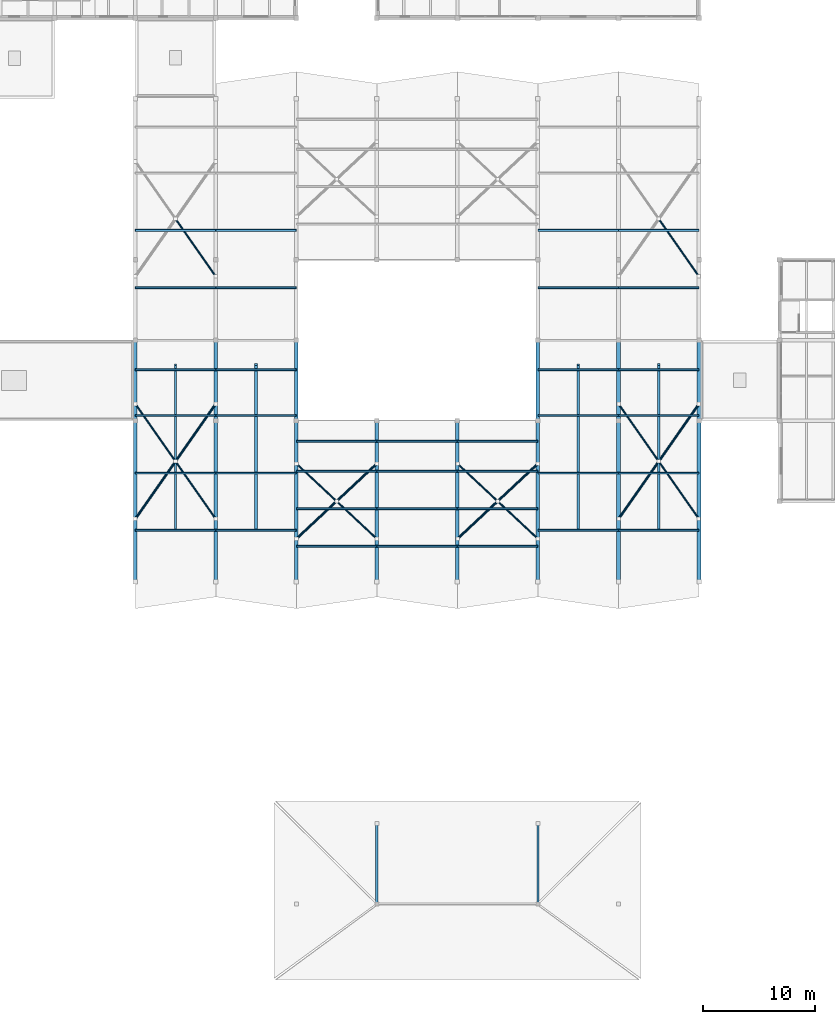
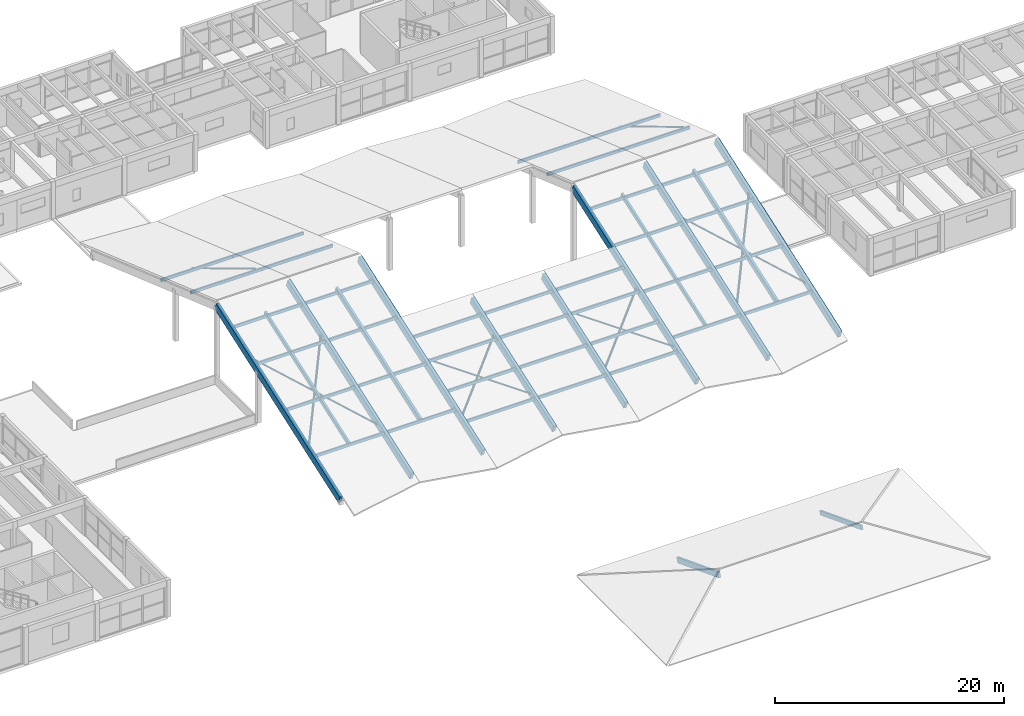
# One storey, part 17 of 68: 56 members, 8 beams.
"""IFC4 building model written with IfcOpenShell, lengths in metres."""

from ifc_helpers import new_model, si_unit, direction, frame, origin, origin_2d, place, context, subcontext, project, spatial, rectangle, hollow_circle, extrude, material, material_profile, profile_set, type_object, element, save


model = new_model("IFC4")

# Units and contexts
model_context = context("Model", 3, precision=1e-05, world=origin(), true_north=direction((0.0, 1.0)))
body_context = subcontext(model_context, "Body", "Model", "MODEL_VIEW")
ifc_project = project(units=[si_unit("LENGTHUNIT", "METRE"), si_unit("AREAUNIT", "SQUARE_METRE"), si_unit("VOLUMEUNIT", "CUBIC_METRE"), si_unit("PLANEANGLEUNIT", "RADIAN"), si_unit("MASSUNIT", "GRAM", prefix="KILO")], contexts=[model_context])

# Site, building, storey
site_placement = place(None, origin())
site = spatial("IfcSite", under=ifc_project, at=site_placement, CompositionType="ELEMENT")
building_placement = place(site_placement, origin())
building = spatial("IfcBuilding", under=site, at=building_placement, Name="Bramvelor Terrace Health Centre", CompositionType="ELEMENT")
storey_placement = place(building_placement, frame((0.0, 0.0, 9.300048828125)))
storey = spatial("IfcBuildingStorey", under=building, at=storey_placement, Name="L03", CompositionType="ELEMENT", Elevation=9.300048828125)

# Beams
ifc_material_1 = material(Name="Glulam GL28h", Category="wood")
ifc_material_profile_1 = material_profile(ifc_material_1, rectangle(XDim=0.320068359375, YDim=0.800048828125, at=origin_2d()), Name="GL 320x800")
ifc_profile_set_1 = profile_set([ifc_material_profile_1], Name="Glulam GL28h")
beam_type = type_object("IfcBeamType", Name="BM-GL-RCH800", PredefinedType="BEAM", material=ifc_profile_set_1)
for number, where, z_axis, x_axis, name in (
    (1, (43.199951171875, 36.0, 0.49169921875), (0.0, 0.943858023727, 0.330351375124), (-1.0, 0.0, 0.0), "Folded-Plate South Principal Glulam Chord 1"),
    (2, (50.39990234375, 36.0, 0.49169921875), (0.0, 0.943858023727, 0.330351375124), (-1.0, 0.0, 0.0), "Folded-Plate South Principal Glulam Chord 2"),
    (3, (57.60009765625, 36.0, 0.49169921875), (0.0, 0.943858023727, 0.330351375124), (-1.0, 0.0, 0.0), "Folded-Plate South Principal Glulam Chord 3"),
):
    element("IfcBeam", number, at=place(storey_placement, frame(where, z_axis=z_axis, x_axis=x_axis)), inside=storey, type_object=beam_type, Name=name, PredefinedType="BEAM", context=body_context, shape_type="SweptSolid", body=[
        extrude(rectangle(XDim=0.320068359375, YDim=0.800048828125, at=origin_2d()), origin(), (0.0, 0.0, 1.0), 22.885009765625),
    ])
for number, where, z_axis, x_axis, name in (
    (4, (64.800048828125, 36.0, 0.49169921875), (0.0, 0.943856859467, 0.33035470155), (-1.0, 0.0, 0.0), "Folded-Plate South Principal Glulam Chord 4"),
    (5, (72.0, 36.0, 0.49169921875), (0.0, 0.943856859467, 0.33035470155), (-1.0, 0.0, 0.0), "Folded-Plate South Principal Glulam Chord 5"),
):
    element("IfcBeam", number, at=place(storey_placement, frame(where, z_axis=z_axis, x_axis=x_axis)), inside=storey, type_object=beam_type, Name=name, PredefinedType="BEAM", context=body_context, shape_type="SweptSolid", body=[
        extrude(rectangle(XDim=0.320068359375, YDim=0.800048828125, at=origin_2d()), origin(), (0.0, 0.0, 1.0), 15.25634765625),
    ])
for number, where, z_axis, x_axis, name in (
    (6, (79.199951171875, 36.0, 0.49169921875), (0.0, 0.943858023727, 0.330351375124), (-1.0, 0.0, 0.0), "Folded-Plate South Principal Glulam Chord 6"),
    (7, (86.39990234375, 36.0, 0.49169921875), (0.0, 0.943858023727, 0.330351375124), (-1.0, 0.0, 0.0), "Folded-Plate South Principal Glulam Chord 7"),
    (8, (93.60009765625, 36.0, 0.49169921875), (0.0, 0.943858023727, 0.330351375124), (-1.0, 0.0, 0.0), "Folded-Plate South Principal Glulam Chord 8"),
):
    element("IfcBeam", number, at=place(storey_placement, frame(where, z_axis=z_axis, x_axis=x_axis)), inside=storey, type_object=beam_type, Name=name, PredefinedType="BEAM", context=body_context, shape_type="SweptSolid", body=[
        extrude(rectangle(XDim=0.320068359375, YDim=0.800048828125, at=origin_2d()), origin(), (0.0, 0.0, 1.0), 22.885009765625),
    ])

# Members
ifc_material_2 = material(Name="Glulam GL28h", Category="wood")
ifc_material_profile_2 = material_profile(ifc_material_2, rectangle(XDim=0.159912109375, YDim=0.320068359375, at=origin_2d()), Name="GL 160x320")
ifc_profile_set_2 = profile_set([ifc_material_profile_2], Name="Glulam GL28h")
member_type_1 = type_object("IfcMemberType", Name="MEM-GL-PUR320", PredefinedType="PURLIN", material=ifc_profile_set_2)
for number, where, z_axis, x_axis, name in (
    (9, (43.219970703125, 40.60400390625, 2.329345703125), (1.0, 0.0, 0.0), (0.0, 1.0, 0.0), "Folded-Plate Roof Purlin S1-1"),
    (10, (43.219970703125, 45.73388671875, 4.124755859375), (1.0, 0.0, 0.0), (0.0, 1.0, 0.0), "Folded-Plate Roof Purlin S1-2"),
    (11, (43.219970703125, 50.864013671875, 5.92041015625), (1.0, 0.0, 0.0), (0.0, 1.0, 0.0), "Folded-Plate Roof Purlin S1-3"),
    (12, (43.219970703125, 54.968017578125, 7.356689453125), (1.0, 0.0, 0.0), (0.0, 1.0, 0.0), "Folded-Plate Roof Purlin S1-4"),
    (13, (43.219970703125, 62.283935546875, 6.638671875), (1.0, 0.0, 0.0), (0.0, 1.0, 0.0), "Folded-Plate Roof Purlin N1-1"),
    (14, (43.219970703125, 67.4140625, 4.843017578125), (1.0, 0.0, 0.0), (0.0, 1.0, 0.0), "Folded-Plate Roof Purlin N1-2"),
):
    element("IfcMember", number, at=place(storey_placement, frame(where, z_axis=z_axis, x_axis=x_axis)), inside=storey, type_object=member_type_1, Name=name, PredefinedType="PURLIN", context=body_context, shape_type="SweptSolid", body=[
        extrude(rectangle(XDim=0.159912109375, YDim=0.320068359375, at=origin_2d()), origin(), (0.0, 0.0, 1.0), 7.159912109375),
    ])
for number, where, z_axis, x_axis, name in (
    (15, (50.419921875, 40.60400390625, 2.329345703125), (1.0, 0.0, 0.0), (0.0, 1.0, 0.0), "Folded-Plate Roof Purlin S2-1"),
    (16, (50.419921875, 45.73388671875, 4.124755859375), (1.0, 0.0, 0.0), (0.0, 1.0, 0.0), "Folded-Plate Roof Purlin S2-2"),
    (17, (50.419921875, 50.864013671875, 5.92041015625), (1.0, 0.0, 0.0), (0.0, 1.0, 0.0), "Folded-Plate Roof Purlin S2-3"),
    (18, (50.419921875, 54.968017578125, 7.356689453125), (1.0, 0.0, 0.0), (0.0, 1.0, 0.0), "Folded-Plate Roof Purlin S2-4"),
    (19, (50.419921875, 62.283935546875, 6.638671875), (1.0, 0.0, 0.0), (0.0, 1.0, 0.0), "Folded-Plate Roof Purlin N2-1"),
    (20, (50.419921875, 67.4140625, 4.843017578125), (1.0, 0.0, 0.0), (0.0, 1.0, 0.0), "Folded-Plate Roof Purlin N2-2"),
):
    element("IfcMember", number, at=place(storey_placement, frame(where, z_axis=z_axis, x_axis=x_axis)), inside=storey, type_object=member_type_1, Name=name, PredefinedType="PURLIN", context=body_context, shape_type="SweptSolid", body=[
        extrude(rectangle(XDim=0.159912109375, YDim=0.320068359375, at=origin_2d()), origin(), (0.0, 0.0, 1.0), 7.16015625),
    ])
for number, where, z_axis, x_axis, name in (
    (21, (57.6201171875, 39.179931640625, 1.8310546875), (1.0, 0.0, 0.0), (0.0, 1.0, 0.0), "Folded-Plate Roof Purlin S3-1"),
    (22, (57.6201171875, 42.530029296875, 3.00341796875), (1.0, 0.0, 0.0), (0.0, 1.0, 0.0), "Folded-Plate Roof Purlin S3-2"),
    (23, (57.6201171875, 45.8798828125, 4.176025390625), (1.0, 0.0, 0.0), (0.0, 1.0, 0.0), "Folded-Plate Roof Purlin S3-3"),
    (24, (57.6201171875, 48.56005859375, 5.114013671875), (1.0, 0.0, 0.0), (0.0, 1.0, 0.0), "Folded-Plate Roof Purlin S3-4"),
    (25, (64.820068359375, 39.179931640625, 1.8310546875), (1.0, 0.0, 0.0), (0.0, 1.0, 0.0), "Folded-Plate Roof Purlin S4-1"),
    (26, (64.820068359375, 42.530029296875, 3.00341796875), (1.0, 0.0, 0.0), (0.0, 1.0, 0.0), "Folded-Plate Roof Purlin S4-2"),
    (27, (64.820068359375, 45.8798828125, 4.176025390625), (1.0, 0.0, 0.0), (0.0, 1.0, 0.0), "Folded-Plate Roof Purlin S4-3"),
    (28, (64.820068359375, 48.56005859375, 5.114013671875), (1.0, 0.0, 0.0), (0.0, 1.0, 0.0), "Folded-Plate Roof Purlin S4-4"),
    (29, (72.02001953125, 39.179931640625, 1.8310546875), (1.0, 0.0, 0.0), (0.0, 1.0, 0.0), "Folded-Plate Roof Purlin S5-1"),
    (30, (72.02001953125, 42.530029296875, 3.00341796875), (1.0, 0.0, 0.0), (0.0, 1.0, 0.0), "Folded-Plate Roof Purlin S5-2"),
    (31, (72.02001953125, 45.8798828125, 4.176025390625), (1.0, 0.0, 0.0), (0.0, 1.0, 0.0), "Folded-Plate Roof Purlin S5-3"),
    (32, (72.02001953125, 48.56005859375, 5.114013671875), (1.0, 0.0, 0.0), (0.0, 1.0, 0.0), "Folded-Plate Roof Purlin S5-4"),
    (33, (79.219970703125, 40.60400390625, 2.329345703125), (1.0, 0.0, 0.0), (0.0, 1.0, 0.0), "Folded-Plate Roof Purlin S6-1"),
    (34, (79.219970703125, 45.73388671875, 4.124755859375), (1.0, 0.0, 0.0), (0.0, 1.0, 0.0), "Folded-Plate Roof Purlin S6-2"),
    (35, (79.219970703125, 50.864013671875, 5.92041015625), (1.0, 0.0, 0.0), (0.0, 1.0, 0.0), "Folded-Plate Roof Purlin S6-3"),
    (36, (79.219970703125, 54.968017578125, 7.356689453125), (1.0, 0.0, 0.0), (0.0, 1.0, 0.0), "Folded-Plate Roof Purlin S6-4"),
    (37, (79.219970703125, 62.283935546875, 6.638671875), (1.0, 0.0, 0.0), (0.0, 1.0, 0.0), "Folded-Plate Roof Purlin N6-1"),
    (38, (79.219970703125, 67.4140625, 4.843017578125), (1.0, 0.0, 0.0), (0.0, 1.0, 0.0), "Folded-Plate Roof Purlin N6-2"),
):
    element("IfcMember", number, at=place(storey_placement, frame(where, z_axis=z_axis, x_axis=x_axis)), inside=storey, type_object=member_type_1, Name=name, PredefinedType="PURLIN", context=body_context, shape_type="SweptSolid", body=[
        extrude(rectangle(XDim=0.159912109375, YDim=0.320068359375, at=origin_2d()), origin(), (0.0, 0.0, 1.0), 7.159912109375),
    ])
for number, where, z_axis, x_axis, name in (
    (39, (86.419921875, 40.60400390625, 2.329345703125), (1.0, 0.0, 0.0), (0.0, 1.0, 0.0), "Folded-Plate Roof Purlin S7-1"),
    (40, (86.419921875, 45.73388671875, 4.124755859375), (1.0, 0.0, 0.0), (0.0, 1.0, 0.0), "Folded-Plate Roof Purlin S7-2"),
    (41, (86.419921875, 50.864013671875, 5.92041015625), (1.0, 0.0, 0.0), (0.0, 1.0, 0.0), "Folded-Plate Roof Purlin S7-3"),
    (42, (86.419921875, 54.968017578125, 7.356689453125), (1.0, 0.0, 0.0), (0.0, 1.0, 0.0), "Folded-Plate Roof Purlin S7-4"),
    (43, (86.419921875, 62.283935546875, 6.638671875), (1.0, 0.0, 0.0), (0.0, 1.0, 0.0), "Folded-Plate Roof Purlin N7-1"),
    (44, (86.419921875, 67.4140625, 4.843017578125), (1.0, 0.0, 0.0), (0.0, 1.0, 0.0), "Folded-Plate Roof Purlin N7-2"),
):
    element("IfcMember", number, at=place(storey_placement, frame(where, z_axis=z_axis, x_axis=x_axis)), inside=storey, type_object=member_type_1, Name=name, PredefinedType="PURLIN", context=body_context, shape_type="SweptSolid", body=[
        extrude(rectangle(XDim=0.159912109375, YDim=0.320068359375, at=origin_2d()), origin(), (0.0, 0.0, 1.0), 7.16015625),
    ])
ifc_material_3 = material(Name="Glulam GL28h", Category="wood")
ifc_material_profile_3 = material_profile(ifc_material_3, rectangle(XDim=0.199951171875, YDim=0.43994140625, at=origin_2d()), Name="GL 200x440")
ifc_profile_set_3 = profile_set([ifc_material_profile_3], Name="Glulam GL28h")
member_type_2 = type_object("IfcMemberType", Name="MEM-GL-RAF440", PredefinedType="RAFTER", material=ifc_profile_set_3)
member_1_placement = place(storey_placement, frame((79.199951171875, 14.39990234375, -0.39013671875), z_axis=(0.0, -0.93331052871, 0.359070267496), x_axis=(1.0, 0.0, 0.0)))
element("IfcMember", 45, at=member_1_placement, inside=storey, type_object=member_type_2, Name="Prairie Hip Roof Glulam Rafter N2", PredefinedType="RAFTER", context=body_context, shape_type="SweptSolid", body=[
    extrude(rectangle(XDim=0.199951171875, YDim=0.43994140625, at=origin_2d()), origin(), (0.0, 0.0, 1.0), 7.71435546875),
])
for number, where, z_axis, x_axis, name in (
    (46, (46.800048828125, 40.7041015625, 2.284423828125), (0.0, 0.943857379729, 0.330353215106), (-1.0, 0.0, 0.0), "Waiting Hall Secondary Glulam Rafter 3"),
    (47, (82.800048828125, 40.7041015625, 2.284423828125), (0.0, 0.943857379729, 0.330353215106), (-1.0, 0.0, 0.0), "Waiting Hall Secondary Glulam Rafter 5"),
):
    element("IfcMember", number, at=place(storey_placement, frame(where, z_axis=z_axis, x_axis=x_axis)), inside=storey, type_object=member_type_2, Name=name, PredefinedType="RAFTER", context=body_context, shape_type="SweptSolid", body=[
        extrude(rectangle(XDim=0.199951171875, YDim=0.43994140625, at=origin_2d()), origin(), (0.0, 0.0, 1.0), 15.589111328125),
    ])
ifc_material_4 = material(Name="Glulam GL28h", Category="wood")
ifc_material_profile_4 = material_profile(ifc_material_4, rectangle(XDim=0.239990234375, YDim=0.56005859375, at=origin_2d()), Name="GL 240x560")
ifc_profile_set_4 = profile_set([ifc_material_profile_4], Name="Glulam GL28h")
member_type_3 = type_object("IfcMemberType", Name="MEM-GL-RAF560", PredefinedType="RAFTER", material=ifc_profile_set_4)
member_2_placement = place(storey_placement, frame((64.800048828125, 14.39990234375, -0.39013671875), z_axis=(0.0, -0.93331052871, 0.359070267496), x_axis=(1.0, 0.0, 0.0)))
element("IfcMember", 48, at=member_2_placement, inside=storey, type_object=member_type_3, Name="Prairie Hip Roof Glulam Rafter N1", PredefinedType="RAFTER", context=body_context, shape_type="SweptSolid", body=[
    extrude(rectangle(XDim=0.239990234375, YDim=0.56005859375, at=origin_2d()), origin(), (0.0, 0.0, 1.0), 7.71435546875),
])
for number, where, z_axis, x_axis, name in (
    (49, (54.0, 40.7041015625, 2.284423828125), (0.0, 0.943857379729, 0.330353215106), (-1.0, 0.0, 0.0), "Waiting Hall Secondary Glulam Rafter 4"),
    (50, (90.0, 40.7041015625, 2.284423828125), (0.0, 0.943857379729, 0.330353215106), (-1.0, 0.0, 0.0), "Waiting Hall Secondary Glulam Rafter 6"),
):
    element("IfcMember", number, at=place(storey_placement, frame(where, z_axis=z_axis, x_axis=x_axis)), inside=storey, type_object=member_type_3, Name=name, PredefinedType="RAFTER", context=body_context, shape_type="SweptSolid", body=[
        extrude(rectangle(XDim=0.239990234375, YDim=0.56005859375, at=origin_2d()), origin(), (0.0, 0.0, 1.0), 15.589111328125),
    ])
ifc_material_5 = material(Name="Steel S355J2", Category="steel")
ifc_material_profile_5 = material_profile(ifc_material_5, hollow_circle(Radius=0.084228515625, WallThickness=0.00634765625, at=origin_2d()), Name="CHS 168.3x6.3")
ifc_profile_set_5 = profile_set([ifc_material_profile_5], Name="Steel S355J2")
member_type_4 = type_object("IfcMemberType", Name="MEM-STL-CHS168", PredefinedType="BRACE", material=ifc_profile_set_5)
for number, where, z_axis, x_axis, name in (
    (51, (50.385009765625, 41.6298828125, 2.462158203125), (-0.550605019808, 0.787909103562, 0.275741467112), (-0.819686857762, -0.572811884663, 0.0), "Folded-Plate Split Wind Brace S1-2A"),
    (52, (46.73681640625, 46.8505859375, 4.289306640625), (-0.550615783395, 0.787886335186, 0.275785028425), (-0.819673827852, -0.572830529856, 0.0), "Folded-Plate Split Wind Brace S1-2B"),
    (53, (50.385009765625, 63.31005859375, 6.05322265625), (-0.550615783395, 0.787886335186, -0.275785028425), (-0.819673827852, -0.572830529856, 0.0), "Folded-Plate Split Wind Brace N1-2A"),
):
    element("IfcMember", number, at=place(storey_placement, frame(where, z_axis=z_axis, x_axis=x_axis)), inside=storey, type_object=member_type_4, Name=name, PredefinedType="BRACE", context=body_context, shape_type="SweptSolid", body=[
        extrude(hollow_circle(Radius=0.084228515625, WallThickness=0.00634765625, at=origin_2d()), origin(), (0.0, 0.0, 1.0), 6.39599609375),
    ])
member_3_placement = place(storey_placement, frame((64.784912109375, 39.85009765625, 1.839111328125), z_axis=(-0.710649192777, 0.664045186198, 0.232425720378), x_axis=(-0.682742674774, -0.730658908139, 0.0)))
element("IfcMember", 54, at=member_3_placement, inside=storey, type_object=member_type_4, Name="Folded-Plate Split Wind Brace S3-2A", PredefinedType="BRACE", context=body_context, shape_type="SweptSolid", body=[
    extrude(hollow_circle(Radius=0.084228515625, WallThickness=0.00634765625, at=origin_2d()), origin(), (0.0, 0.0, 1.0), 4.929443359375),
])
member_4_placement = place(storey_placement, frame((61.118408203125, 43.2763671875, 3.038330078125), z_axis=(-0.710650335394, 0.664049501554, 0.232409897143), x_axis=(-0.682744457393, -0.730657242419, 0.0)))
element("IfcMember", 55, at=member_4_placement, inside=storey, type_object=member_type_4, Name="Folded-Plate Split Wind Brace S3-2B", PredefinedType="BRACE", context=body_context, shape_type="SweptSolid", body=[
    extrude(hollow_circle(Radius=0.084228515625, WallThickness=0.00634765625, at=origin_2d()), origin(), (0.0, 0.0, 1.0), 4.929931640625),
])
member_5_placement = place(storey_placement, frame((79.18505859375, 39.85009765625, 1.839111328125), z_axis=(-0.710673705771, 0.66402181512, 0.232417540152), x_axis=(-0.682717273489, -0.730682642793, 0.0)))
element("IfcMember", 56, at=member_5_placement, inside=storey, type_object=member_type_4, Name="Folded-Plate Split Wind Brace S5-2A", PredefinedType="BRACE", context=body_context, shape_type="SweptSolid", body=[
    extrude(hollow_circle(Radius=0.084228515625, WallThickness=0.00634765625, at=origin_2d()), origin(), (0.0, 0.0, 1.0), 4.9296875),
])
member_6_placement = place(storey_placement, frame((75.518310546875, 43.2763671875, 3.038330078125), z_axis=(-0.710650335394, 0.664049501554, 0.232409897143), x_axis=(-0.682744457393, -0.730657242419, 0.0)))
element("IfcMember", 57, at=member_6_placement, inside=storey, type_object=member_type_4, Name="Folded-Plate Split Wind Brace S5-2B", PredefinedType="BRACE", context=body_context, shape_type="SweptSolid", body=[
    extrude(hollow_circle(Radius=0.084228515625, WallThickness=0.00634765625, at=origin_2d()), origin(), (0.0, 0.0, 1.0), 4.929931640625),
])
for number, where, z_axis, x_axis, name in (
    (58, (93.5849609375, 41.6298828125, 2.462158203125), (-0.550605019808, 0.787909103562, 0.275741467112), (-0.819686857762, -0.572811884663, 0.0), "Folded-Plate Split Wind Brace S7-2A"),
    (59, (89.936767578125, 46.8505859375, 4.289306640625), (-0.550615783395, 0.787886335186, 0.275785028425), (-0.819673827852, -0.572830529856, 0.0), "Folded-Plate Split Wind Brace S7-2B"),
    (60, (93.5849609375, 63.31005859375, 6.05322265625), (-0.550615783395, 0.787886335186, -0.275785028425), (-0.819673827852, -0.572830529856, 0.0), "Folded-Plate Split Wind Brace N7-2A"),
):
    element("IfcMember", number, at=place(storey_placement, frame(where, z_axis=z_axis, x_axis=x_axis)), inside=storey, type_object=member_type_4, Name=name, PredefinedType="BRACE", context=body_context, shape_type="SweptSolid", body=[
        extrude(hollow_circle(Radius=0.084228515625, WallThickness=0.00634765625, at=origin_2d()), origin(), (0.0, 0.0, 1.0), 6.39599609375),
    ])
ifc_material_6 = material(Name="Steel S355J2", Category="steel")
ifc_material_profile_6 = material_profile(ifc_material_6, hollow_circle(Radius=0.109619140625, WallThickness=0.008056640625, at=origin_2d()), Name="CHS 219.1x8.0")
ifc_profile_set_6 = profile_set([ifc_material_profile_6], Name="Steel S355J2")
member_type_5 = type_object("IfcMemberType", Name="MEM-STL-CHS219", PredefinedType="BRACE", material=ifc_profile_set_6)
member_7_placement = place(storey_placement, frame((43.215087890625, 41.6298828125, 2.462158203125), z_axis=(0.550602549461, 0.787900849261, 0.275769984337), x_axis=(-0.81968524684, 0.572814189868, 0.0)))
element("IfcMember", 61, at=member_7_placement, inside=storey, type_object=member_type_5, Name="Folded-Plate Continuous Wind Brace S1-1", PredefinedType="BRACE", context=body_context, shape_type="SweptSolid", body=[
    extrude(hollow_circle(Radius=0.109619140625, WallThickness=0.008056640625, at=origin_2d()), origin(), (0.0, 0.0, 1.0), 13.02197265625),
])
member_8_placement = place(storey_placement, frame((57.614990234375, 39.85009765625, 1.839111328125), z_axis=(0.710639002141, 0.664058367467, 0.232419218727), x_axis=(-0.682755136537, 0.730647263412, 0.0)))
element("IfcMember", 62, at=member_8_placement, inside=storey, type_object=member_type_5, Name="Folded-Plate Continuous Wind Brace S3-1", PredefinedType="BRACE", context=body_context, shape_type="SweptSolid", body=[
    extrude(hollow_circle(Radius=0.109619140625, WallThickness=0.008056640625, at=origin_2d()), origin(), (0.0, 0.0, 1.0), 10.08935546875),
])
member_9_placement = place(storey_placement, frame((72.014892578125, 39.85009765625, 1.839111328125), z_axis=(0.710650979521, 0.664046948517, 0.232415222115), x_axis=(-0.682742725683, 0.730658860568, 0.0)))
element("IfcMember", 63, at=member_9_placement, inside=storey, type_object=member_type_5, Name="Folded-Plate Continuous Wind Brace S5-1", PredefinedType="BRACE", context=body_context, shape_type="SweptSolid", body=[
    extrude(hollow_circle(Radius=0.109619140625, WallThickness=0.008056640625, at=origin_2d()), origin(), (0.0, 0.0, 1.0), 10.089599609375),
])
member_10_placement = place(storey_placement, frame((86.4150390625, 41.6298828125, 2.462158203125), z_axis=(0.550602549461, 0.787900849261, 0.275769984337), x_axis=(-0.81968524684, 0.572814189868, 0.0)))
element("IfcMember", 64, at=member_10_placement, inside=storey, type_object=member_type_5, Name="Folded-Plate Continuous Wind Brace S7-1", PredefinedType="BRACE", context=body_context, shape_type="SweptSolid", body=[
    extrude(hollow_circle(Radius=0.109619140625, WallThickness=0.008056640625, at=origin_2d()), origin(), (0.0, 0.0, 1.0), 13.02197265625),
])

save(model, "model.ifc")
